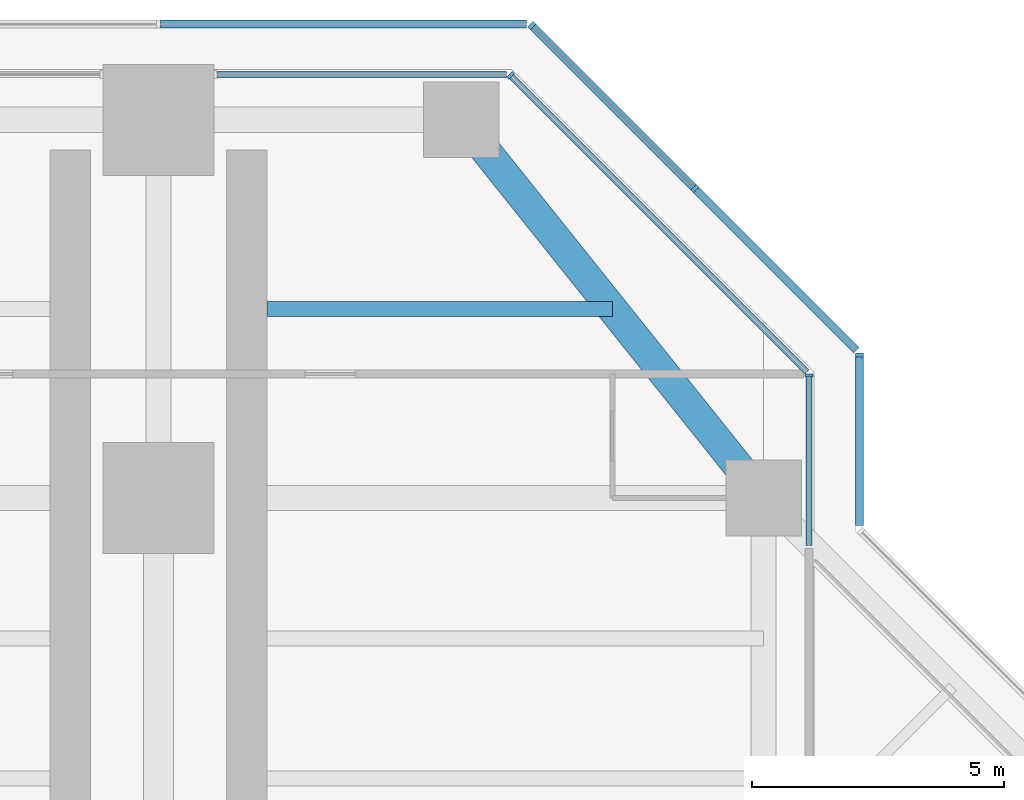
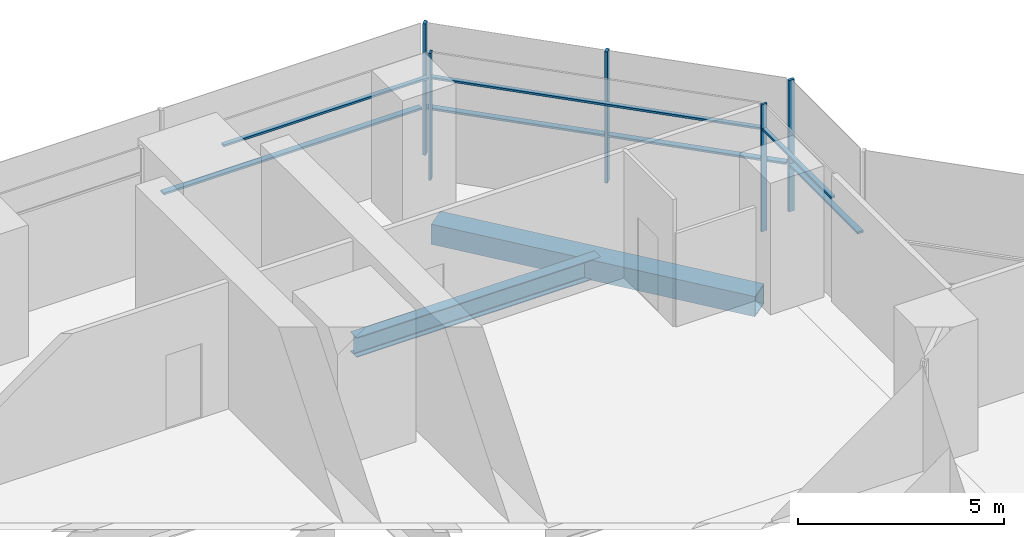
# One storey, part 9 of 17: 12 members, 2 beams, 6 elements without a shape of their own.
"""IFC4 building model written with IfcOpenShell, lengths in metres."""

from ifc_helpers import new_model, si_unit, direction, frame, origin, origin_2d, place, context, subcontext, project, spatial, rectangle, hollow_rectangle, i_section, extrude, material, material_profile, profile_set, type_object, element, aggregate, save


model = new_model("IFC4")

# Units and contexts
model_context = context("Model", 3, precision=1e-05, world=origin(), true_north=direction((0.0, 1.0)))
body_context = subcontext(model_context, "Body", "Model", "MODEL_VIEW")
ifc_project = project(units=[si_unit("LENGTHUNIT", "METRE"), si_unit("AREAUNIT", "SQUARE_METRE"), si_unit("VOLUMEUNIT", "CUBIC_METRE"), si_unit("PLANEANGLEUNIT", "RADIAN"), si_unit("MASSUNIT", "GRAM", prefix="KILO")], contexts=[model_context])

# Site, building, storey
site_placement = place(None, origin())
site = spatial("IfcSite", under=ifc_project, at=site_placement, CompositionType="ELEMENT")
building_placement = place(site_placement, origin())
building = spatial("IfcBuilding", under=site, at=building_placement, Name="Mizan Broadcast Tower", CompositionType="ELEMENT")
storey_placement = place(building_placement, frame((0.0, 0.0, 216.60009765625)))
storey = spatial("IfcBuildingStorey", under=building, at=storey_placement, Name="L50", CompositionType="ELEMENT", Elevation=216.60009765625)

# Beam
ifc_material_1 = material(Name="Steel S355", Category="steel")
ifc_material_profile_1 = material_profile(ifc_material_1, hollow_rectangle(XDim=0.60009765625, YDim=0.60009765625, WallThickness=0.030029296875, at=origin_2d()), Name="BOX 600x600x30")
ifc_profile_set_1 = profile_set([ifc_material_profile_1], Name="Steel S355")
beam_type_1 = type_object("IfcBeamType", Name="EDGE BEAM BOX 600x600x30", PredefinedType="SPANDREL", material=ifc_profile_set_1)
beam_1_placement = place(storey_placement, frame((11.639892578125, 19.949951171875, -0.43017578125), z_axis=(-0.624673911726, 0.780885717636, 0.0), x_axis=(-0.780885717636, -0.624673911726, 0.0)))
element("IfcBeam", 1, at=beam_1_placement, inside=storey, type_object=beam_type_1, Name="Edge beam BOX 600x600x30 L50 north arm", PredefinedType="SPANDREL", context=body_context, shape_type="SweptSolid", body=[
    extrude(hollow_rectangle(XDim=0.60009765625, YDim=0.60009765625, WallThickness=0.030029296875, at=origin_2d()), origin(), (0.0, 0.0, 1.0), 8.4521484375),
])

# Curtain wall, member
ifc_material_2 = material(Name="Aluminium framed glazing", Category="aluminium")
curtain_wall_type_1 = type_object("IfcCurtainWallType", Name="INNER SKIN HIGH ZONE", PredefinedType="USERDEFINED", material=ifc_material_2)
curtain_wall_1_placement = place(storey_placement, origin())
curtain_wall_1 = element("IfcCurtainWall", 2, at=curtain_wall_1_placement, inside=storey, type_object=curtain_wall_type_1, Name="Inner skin high zone L50 N side", ObjectType="INNER SKIN HIGH ZONE", PredefinedType="USERDEFINED")
ifc_material_3 = material(Name="Aluminium, pale anodised", Category="aluminium")
ifc_material_profile_2 = material_profile(ifc_material_3, rectangle(XDim=0.159912109375, YDim=0.06005859375, at=origin_2d()), Name="MULLION 160x60")
ifc_profile_set_2 = profile_set([ifc_material_profile_2], Name="Aluminium, pale anodised")
member_type_1 = type_object("IfcMemberType", Name="INNER SKIN MULLION 60x160", PredefinedType="MULLION", material=ifc_profile_set_2)
member_1_placement = place(storey_placement, frame((12.89990234375, 21.928466796875, 0.0), z_axis=(0.0, 0.0, 1.0), x_axis=(-1.0, 0.0, 0.0)))
member_1 = element("IfcMember", 3, at=member_1_placement, type_object=member_type_1, Name="Inner skin high zone L50 N side mullion 2", PredefinedType="MULLION", context=body_context, shape_type="SweptSolid", body=[
    extrude(rectangle(XDim=0.159912109375, YDim=0.06005859375, at=origin_2d()), origin(), (0.0, 0.0, 1.0), 3.77001953125),
])

curtain_wall_2_placement = place(storey_placement, origin())
curtain_wall_2 = element("IfcCurtainWall", 4, at=curtain_wall_2_placement, inside=storey, type_object=curtain_wall_type_1, Name="Inner skin high zone L50 N chamfer", ObjectType="INNER SKIN HIGH ZONE", PredefinedType="USERDEFINED")
member_2_placement = place(storey_placement, frame((6.979736328125, 27.87890625, 0.0), z_axis=(0.0, 0.0, 1.0), x_axis=(-0.707106781187, -0.707106781187, 0.0)))
member_2 = element("IfcMember", 5, at=member_2_placement, type_object=member_type_1, Name="Inner skin high zone L50 N chamfer mullion 2", PredefinedType="MULLION", context=body_context, shape_type="SweptSolid", body=[
    extrude(rectangle(XDim=0.159912109375, YDim=0.06005859375, at=origin_2d()), origin(), (0.0, 0.0, 1.0), 3.77001953125),
])

# Member
ifc_material_4 = material(Name="Aluminium, pale anodised", Category="aluminium")
ifc_material_profile_3 = material_profile(ifc_material_4, rectangle(XDim=0.1201171875, YDim=0.06005859375, at=origin_2d()), Name="TRANSOM 120x60")
ifc_profile_set_3 = profile_set([ifc_material_profile_3], Name="Aluminium, pale anodised")
member_type_2 = type_object("IfcMemberType", Name="INNER SKIN TRANSOM 60x120", PredefinedType="USERDEFINED", material=ifc_profile_set_3)
member_3_placement = place(storey_placement, frame((12.89990234375, 18.56005859375, 3.02978515625), z_axis=(0.0, 1.0, 0.0), x_axis=(-1.0, 0.0, 0.0)))
member_3 = element("IfcMember", 6, at=member_3_placement, type_object=member_type_2, Name="Inner skin high zone L50 N side transom 1.1", ObjectType="TRANSOM", PredefinedType="USERDEFINED", context=body_context, shape_type="SweptSolid", body=[
    extrude(rectangle(XDim=0.1201171875, YDim=0.06005859375, at=origin_2d()), origin(), (0.0, 0.0, 1.0), 3.338623046875),
])

aggregate(curtain_wall_1, [member_1, member_3])

member_4_placement = place(storey_placement, frame((12.857666015625, 22.0009765625, 3.02978515625), z_axis=(-0.707106781187, 0.707106781187, 0.0), x_axis=(-0.707106781187, -0.707106781187, 0.0)))
member_4 = element("IfcMember", 7, at=member_4_placement, type_object=member_type_2, Name="Inner skin high zone L50 N chamfer transom 1.1", ObjectType="TRANSOM", PredefinedType="USERDEFINED", context=body_context, shape_type="SweptSolid", body=[
    extrude(rectangle(XDim=0.1201171875, YDim=0.06005859375, at=origin_2d()), origin(), (0.0, 0.0, 1.0), 8.28271484375),
])

aggregate(curtain_wall_2, [member_2, member_4])

# Curtain wall, member
curtain_wall_3_placement = place(storey_placement, origin())
curtain_wall_3 = element("IfcCurtainWall", 8, at=curtain_wall_3_placement, inside=storey, type_object=curtain_wall_type_1, Name="Inner skin high zone L50 N end", ObjectType="INNER SKIN HIGH ZONE", PredefinedType="USERDEFINED")
member_5_placement = place(storey_placement, frame((6.898681640625, 27.89990234375, 3.02978515625), z_axis=(-1.0, 0.0, 0.0), x_axis=(0.0, -1.0, 0.0)))
member_5 = element("IfcMember", 9, at=member_5_placement, type_object=member_type_2, Name="Inner skin high zone L50 N end transom 1.1", ObjectType="TRANSOM", PredefinedType="USERDEFINED", context=body_context, shape_type="SweptSolid", body=[
    extrude(rectangle(XDim=0.1201171875, YDim=0.06005859375, at=origin_2d()), origin(), (0.0, 0.0, 1.0), 5.73876953125),
])
aggregate(curtain_wall_3, [member_5])

ifc_material_5 = material(Name="Aluminium framed glazing", Category="aluminium")
curtain_wall_type_2 = type_object("IfcCurtainWallType", Name="OUTER SKIN", PredefinedType="USERDEFINED", material=ifc_material_5)
curtain_wall_4_placement = place(storey_placement, origin())
curtain_wall_4 = element("IfcCurtainWall", 10, at=curtain_wall_4_placement, inside=storey, type_object=curtain_wall_type_2, Name="Outer skin L50 N side", ObjectType="OUTER SKIN", PredefinedType="USERDEFINED")
ifc_material_6 = material(Name="Aluminium, pale anodised", Category="aluminium")
ifc_material_profile_4 = material_profile(ifc_material_6, rectangle(XDim=0.159912109375, YDim=0.080078125, at=origin_2d()), Name="MULLION 160x80")
ifc_profile_set_4 = profile_set([ifc_material_profile_4], Name="Aluminium, pale anodised")
member_type_3 = type_object("IfcMemberType", Name="OUTER SKIN MULLION 80x160", PredefinedType="MULLION", material=ifc_profile_set_4)
member_6_placement = place(storey_placement, frame((13.89990234375, 22.332763671875, 0.0), z_axis=(0.0, 0.0, 1.0), x_axis=(-1.0, 0.0, 0.0)))
member_6 = element("IfcMember", 11, at=member_6_placement, type_object=member_type_3, Name="Outer skin L50 N side mullion 2", PredefinedType="MULLION", context=body_context, shape_type="SweptSolid", body=[
    extrude(rectangle(XDim=0.159912109375, YDim=0.080078125, at=origin_2d()), origin(), (0.0, 0.0, 1.0), 3.89990234375),
])

# Curtain wall, members
curtain_wall_5_placement = place(storey_placement, origin())
curtain_wall_5 = element("IfcCurtainWall", 12, at=curtain_wall_5_placement, inside=storey, type_object=curtain_wall_type_2, Name="Outer skin L50 N chamfer", ObjectType="OUTER SKIN", PredefinedType="USERDEFINED")
member_7_placement = place(storey_placement, frame((10.636474609375, 25.636474609375, 0.0), z_axis=(0.0, 0.0, 1.0), x_axis=(-0.707106781187, -0.707106781187, 0.0)))
member_7 = element("IfcMember", 13, at=member_7_placement, type_object=member_type_3, Name="Outer skin L50 N chamfer mullion 2", PredefinedType="MULLION", context=body_context, shape_type="SweptSolid", body=[
    extrude(rectangle(XDim=0.159912109375, YDim=0.080078125, at=origin_2d()), origin(), (0.0, 0.0, 1.0), 3.89990234375),
])
member_8_placement = place(storey_placement, frame((7.401123046875, 28.871826171875, 0.0), z_axis=(0.0, 0.0, 1.0), x_axis=(-0.707106781187, -0.707106781187, 0.0)))
member_8 = element("IfcMember", 14, at=member_8_placement, type_object=member_type_3, Name="Outer skin L50 N chamfer mullion 3", PredefinedType="MULLION", context=body_context, shape_type="SweptSolid", body=[
    extrude(rectangle(XDim=0.159912109375, YDim=0.080078125, at=origin_2d()), origin(), (0.0, 0.0, 1.0), 3.89990234375),
])

# Member
ifc_material_7 = material(Name="Aluminium, pale anodised", Category="aluminium")
ifc_material_profile_5 = material_profile(ifc_material_7, rectangle(XDim=0.159912109375, YDim=0.06005859375, at=origin_2d()), Name="TRANSOM 160x60")
ifc_profile_set_5 = profile_set([ifc_material_profile_5], Name="Aluminium, pale anodised")
member_type_4 = type_object("IfcMemberType", Name="OUTER SKIN TRANSOM 60x160", PredefinedType="USERDEFINED", material=ifc_profile_set_5)
member_9_placement = place(storey_placement, frame((13.89990234375, 18.952880859375, 1.39990234375), z_axis=(0.0, 1.0, 0.0), x_axis=(-1.0, 0.0, 0.0)))
member_9 = element("IfcMember", 15, at=member_9_placement, type_object=member_type_4, Name="Outer skin L50 N side transom 1.1", ObjectType="TRANSOM", PredefinedType="USERDEFINED", context=body_context, shape_type="SweptSolid", body=[
    extrude(rectangle(XDim=0.159912109375, YDim=0.06005859375, at=origin_2d()), origin(), (0.0, 0.0, 1.0), 3.33984375),
])

aggregate(curtain_wall_4, [member_6, member_9])

member_10_placement = place(storey_placement, frame((13.843505859375, 22.429443359375, 1.39990234375), z_axis=(-0.707106781187, 0.707106781187, 0.0), x_axis=(-0.707106781187, -0.707106781187, 0.0)))
member_10 = element("IfcMember", 16, at=member_10_placement, type_object=member_type_4, Name="Outer skin L50 N chamfer transom 1.1", ObjectType="TRANSOM", PredefinedType="USERDEFINED", context=body_context, shape_type="SweptSolid", body=[
    extrude(rectangle(XDim=0.159912109375, YDim=0.06005859375, at=origin_2d()), origin(), (0.0, 0.0, 1.0), 4.495361328125),
])

member_11_placement = place(storey_placement, frame((10.608154296875, 25.664794921875, 1.39990234375), z_axis=(-0.707106781187, 0.707106781187, 0.0), x_axis=(-0.707106781187, -0.707106781187, 0.0)))
member_11 = element("IfcMember", 17, at=member_11_placement, type_object=member_type_4, Name="Outer skin L50 N chamfer transom 2.1", ObjectType="TRANSOM", PredefinedType="USERDEFINED", context=body_context, shape_type="SweptSolid", body=[
    extrude(rectangle(XDim=0.159912109375, YDim=0.06005859375, at=origin_2d()), origin(), (0.0, 0.0, 1.0), 4.495361328125),
])

aggregate(curtain_wall_5, [member_7, member_8, member_10, member_11])

# Curtain wall, member
curtain_wall_6_placement = place(storey_placement, origin())
curtain_wall_6 = element("IfcCurtainWall", 18, at=curtain_wall_6_placement, inside=storey, type_object=curtain_wall_type_2, Name="Outer skin L50 N end", ObjectType="OUTER SKIN", PredefinedType="USERDEFINED")
member_12_placement = place(storey_placement, frame((7.292724609375, 28.89990234375, 1.39990234375), z_axis=(-1.0, 0.0, 0.0), x_axis=(0.0, -1.0, 0.0)))
member_12 = element("IfcMember", 19, at=member_12_placement, type_object=member_type_4, Name="Outer skin L50 N end transom 1.1", ObjectType="TRANSOM", PredefinedType="USERDEFINED", context=body_context, shape_type="SweptSolid", body=[
    extrude(rectangle(XDim=0.159912109375, YDim=0.06005859375, at=origin_2d()), origin(), (0.0, 0.0, 1.0), 7.252685546875),
])
aggregate(curtain_wall_6, [member_12])

# Beam
ifc_material_8 = material(Name="Steel S355", Category="steel")
ifc_material_profile_6 = material_profile(ifc_material_8, i_section(OverallWidth=0.300048828125, OverallDepth=0.590087890625, WebThickness=0.012939453125, FlangeThickness=0.02490234375, FilletRadius=0.027099609375, at=origin_2d()), Name="HEA 600")
ifc_profile_set_6 = profile_set([ifc_material_profile_6], Name="Steel S355")
beam_type_2 = type_object("IfcBeamType", Name="SECONDARY BEAM HEA 600", PredefinedType="JOIST", material=ifc_profile_set_6)
beam_2_placement = place(storey_placement, frame((9.0, 23.25, -0.425048828125), z_axis=(-1.0, 0.0, 0.0), x_axis=(0.0, -1.0, 0.0)))
element("IfcBeam", 20, at=beam_2_placement, inside=storey, type_object=beam_type_2, Name="Secondary beam HEA 600 L50 north arm", PredefinedType="JOIST", context=body_context, shape_type="SweptSolid", body=[
    extrude(i_section(OverallWidth=0.300048828125, OverallDepth=0.590087890625, WebThickness=0.012939453125, FlangeThickness=0.02490234375, FilletRadius=0.027099609375, at=origin_2d()), origin(), (0.0, 0.0, 1.0), 6.85009765625),
])

save(model, "model.ifc")
